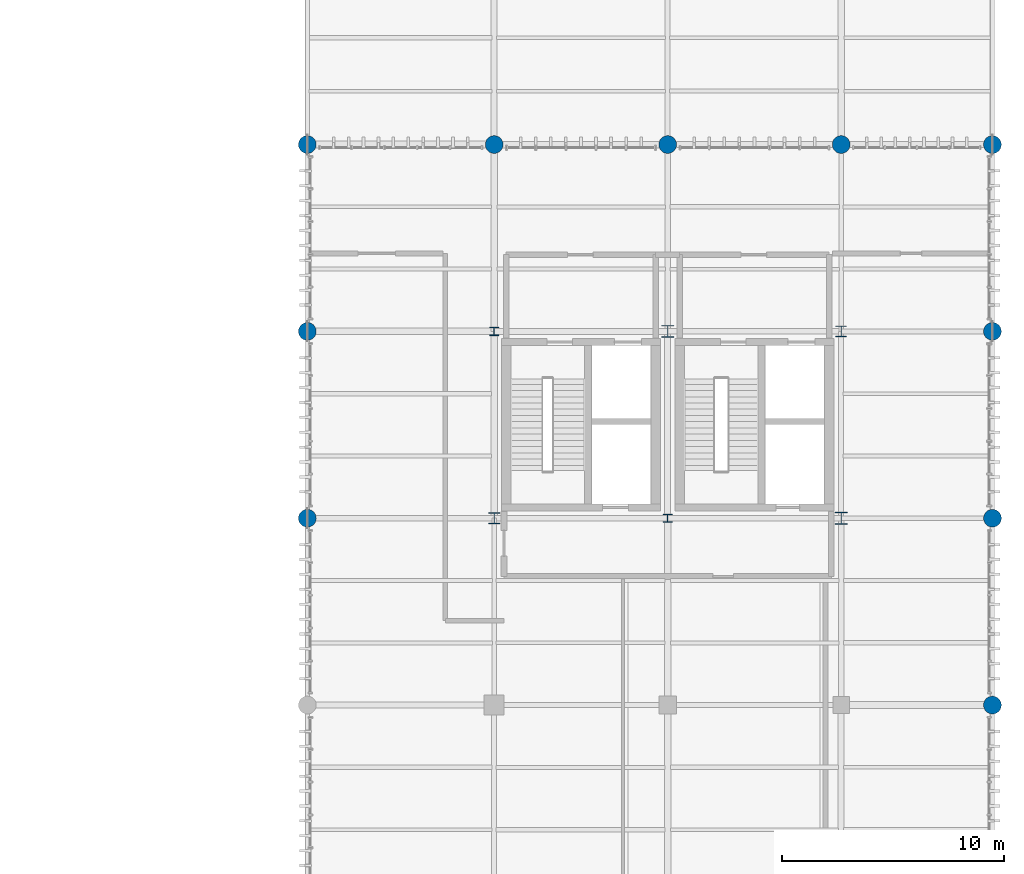
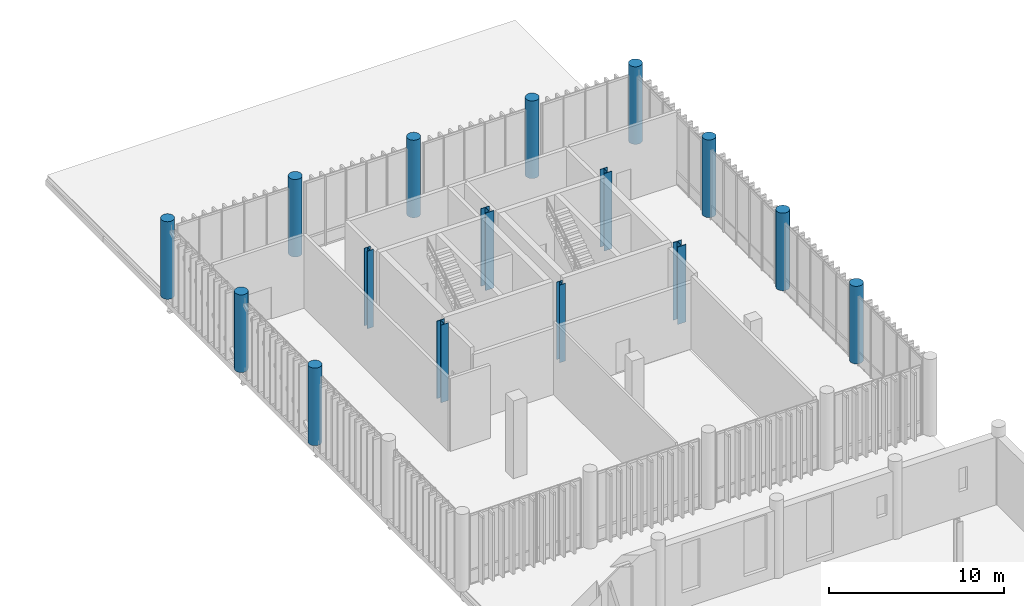
# One storey, part 13 of 128: 16 columns.
"""IFC4 building model written with IfcOpenShell, lengths in metres."""

from ifc_helpers import new_model, si_unit, direction, frame, origin_with_axes, origin_2d_with_axis, place, context, subcontext, project, spatial, circle, i_section, extrude, material, material_profile, profile_set, type_object, element, save


model = new_model("IFC4")

# Units and contexts
model_context = context("Model", 3, precision=1e-05, world=origin_with_axes(), true_north=direction((0.0, 1.0)))
body_context = subcontext(model_context, "Body", "Model", "MODEL_VIEW")
ifc_project = project(units=[si_unit("LENGTHUNIT", "METRE"), si_unit("AREAUNIT", "SQUARE_METRE"), si_unit("VOLUMEUNIT", "CUBIC_METRE"), si_unit("PLANEANGLEUNIT", "RADIAN"), si_unit("MASSUNIT", "GRAM", prefix="KILO"), si_unit("THERMODYNAMICTEMPERATUREUNIT", "KELVIN")], contexts=[model_context])

# Site, building, storey
site_placement = place(None, origin_with_axes())
site = spatial("IfcSite", under=ifc_project, at=site_placement, CompositionType="ELEMENT")
building_placement = place(site_placement, origin_with_axes())
building = spatial("IfcBuilding", under=site, at=building_placement, Name="Montbau Bow Law Courts", CompositionType="ELEMENT")
storey_placement = place(building_placement, frame((0.0, 0.0, 5.4), z_axis=(0.0, 0.0, 1.0), x_axis=(1.0, 0.0, 0.0)))
storey = spatial("IfcBuildingStorey", under=building, at=storey_placement, Name="L01", CompositionType="ELEMENT", Elevation=5.4)

# Columns
ifc_material_1 = material(Name="Concrete CSA A23.1 f'c 40 MPa", Category="concrete")
ifc_material_profile_1 = material_profile(ifc_material_1, circle(Radius=0.4, at=origin_2d_with_axis()), Name="RC800D", Category="Main", Priority=0)
ifc_profile_set_1 = profile_set([ifc_material_profile_1], Name="Concrete CSA A23.1 f'c 40 MPa")
column_type_1 = type_object("IfcColumnType", Name="C-RC-07", PredefinedType="COLUMN", material=ifc_profile_set_1)
for number, where, z_axis, x_axis, name in (
    (1, (138.6, 86.4, 5.4), (0.0, 0.0, 1.0), (1.0, 0.0, 0.0), "C-L01-S0465:col2_0465"),
    (2, (138.6, 94.8, 5.4), (0.0, 0.0, 1.0), (1.0, 0.0, 0.0), "C-L01-S0466:col2_0466"),
    (3, (138.6, 103.2, 5.4), (0.0, 0.0, 1.0), (1.0, 0.0, 0.0), "C-L01-S0467:col2_0467"),
    (4, (147.0, 103.2, 5.4), (0.0, 0.0, 1.0), (1.0, 0.0, 0.0), "C-L01-S0480:col2_0480"),
    (5, (154.8, 103.2, 5.4), (0.0, 0.0, 1.0), (1.0, 0.0, 0.0), "C-L01-S0493:col2_0493"),
    (6, (162.6, 103.2, 5.4), (0.0, 0.0, 1.0), (1.0, 0.0, 0.0), "C-L01-S0506:col2_0506"),
    (7, (169.4, 78.0, 5.4), (0.0, 0.0, 1.0), (1.0, 0.0, 0.0), "C-L01-S0516:col2_0516"),
    (8, (169.4, 86.4, 5.4), (0.0, 0.0, 1.0), (1.0, 0.0, 0.0), "C-L01-S0517:col2_0517"),
    (9, (169.4, 94.8, 5.4), (0.0, 0.0, 1.0), (1.0, 0.0, 0.0), "C-L01-S0518:col2_0518"),
    (10, (169.4, 103.2, 5.4), (0.0, 0.0, 1.0), (1.0, 0.0, 0.0), "C-L01-S0519:col2_0519"),
):
    element("IfcColumn", number, at=place(None, frame(where, z_axis=z_axis, x_axis=x_axis)), inside=storey, type_object=column_type_1, Name=name, PredefinedType="COLUMN", context=body_context, shape_type="SweptSolid", body=[
        extrude(circle(Radius=0.4, at=origin_2d_with_axis()), origin_with_axes(), (0.0, 0.0, 1.0), 5.4),
    ])
ifc_material_2 = material(Name="Steel CSA G40.21 Grade 350W (350 MPa)", Category="steel")
ifc_material_profile_2 = material_profile(ifc_material_2, i_section(OverallWidth=0.55, OverallDepth=0.55, WebThickness=0.025, FlangeThickness=0.042, at=origin_2d_with_axis()), Name="WWF550X420", Category="Main", Priority=0)
ifc_profile_set_2 = profile_set([ifc_material_profile_2], Name="Steel CSA G40.21 Grade 350W (350 MPa)")
column_type_2 = type_object("IfcColumnType", Name="C-STL-01", PredefinedType="COLUMN", material=ifc_profile_set_2)
for number, where, z_axis, x_axis, name in (
    (11, (154.8, 94.8, 5.4), (0.0, 0.0, 1.0), (1.0, 0.0, 0.0), "C-L01-S0492:col2_0492"),
    (12, (162.6, 86.4, 5.4), (0.0, 0.0, 1.0), (1.0, 0.0, 0.0), "C-L01-S0504:col2_0504"),
):
    element("IfcColumn", number, at=place(None, frame(where, z_axis=z_axis, x_axis=x_axis)), inside=storey, type_object=column_type_2, Name=name, PredefinedType="COLUMN", context=body_context, shape_type="SweptSolid", body=[
        extrude(i_section(OverallWidth=0.55, OverallDepth=0.55, WebThickness=0.025, FlangeThickness=0.042, at=origin_2d_with_axis()), origin_with_axes(), (0.0, 0.0, 1.0), 5.4),
    ])
ifc_material_profile_3 = material_profile(ifc_material_2, i_section(OverallWidth=0.5, OverallDepth=0.5, WebThickness=0.022, FlangeThickness=0.036, at=origin_2d_with_axis()), Name="WWF500X343", Category="Main", Priority=0)
ifc_profile_set_3 = profile_set([ifc_material_profile_3], Name="Steel CSA G40.21 Grade 350W (350 MPa)")
column_type_3 = type_object("IfcColumnType", Name="C-STL-02", PredefinedType="COLUMN", material=ifc_profile_set_3)
for number, where, z_axis, x_axis, name in (
    (13, (147.0, 86.4, 5.4), (0.0, 0.0, 1.0), (1.0, 0.0, 0.0), "C-L01-S0478:col2_0478"),
    (14, (162.6, 94.8, 5.4), (0.0, 0.0, 1.0), (1.0, 0.0, 0.0), "C-L01-S0505:col2_0505"),
):
    element("IfcColumn", number, at=place(None, frame(where, z_axis=z_axis, x_axis=x_axis)), inside=storey, type_object=column_type_3, Name=name, PredefinedType="COLUMN", context=body_context, shape_type="SweptSolid", body=[
        extrude(i_section(OverallWidth=0.5, OverallDepth=0.5, WebThickness=0.022, FlangeThickness=0.036, at=origin_2d_with_axis()), origin_with_axes(), (0.0, 0.0, 1.0), 5.4),
    ])
ifc_material_profile_4 = material_profile(ifc_material_2, i_section(OverallWidth=0.395, OverallDepth=0.38, WebThickness=0.0189, FlangeThickness=0.0302, at=origin_2d_with_axis()), Name="W360X237", Category="Main", Priority=0)
ifc_profile_set_4 = profile_set([ifc_material_profile_4], Name="Steel CSA G40.21 Grade 350W (350 MPa)")
column_type_4 = type_object("IfcColumnType", Name="C-STL-03", PredefinedType="COLUMN", material=ifc_profile_set_4)
for number, where, z_axis, x_axis, name in (
    (15, (147.0, 94.8, 5.4), (0.0, 0.0, 1.0), (1.0, 0.0, 0.0), "C-L01-S0479:col2_0479"),
    (16, (154.8, 86.4, 5.4), (0.0, 0.0, 1.0), (1.0, 0.0, 0.0), "C-L01-S0491:col2_0491"),
):
    element("IfcColumn", number, at=place(None, frame(where, z_axis=z_axis, x_axis=x_axis)), inside=storey, type_object=column_type_4, Name=name, PredefinedType="COLUMN", context=body_context, shape_type="SweptSolid", body=[
        extrude(i_section(OverallWidth=0.395, OverallDepth=0.38, WebThickness=0.0189, FlangeThickness=0.0302, at=origin_2d_with_axis()), origin_with_axes(), (0.0, 0.0, 1.0), 5.4),
    ])

save(model, "model.ifc")
